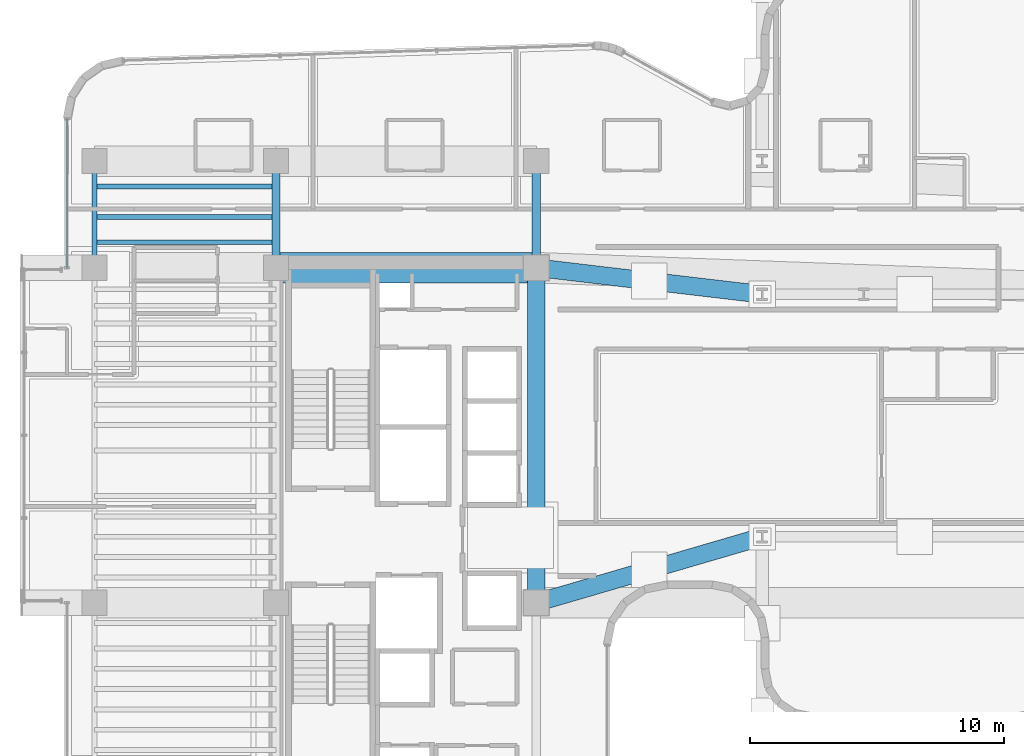
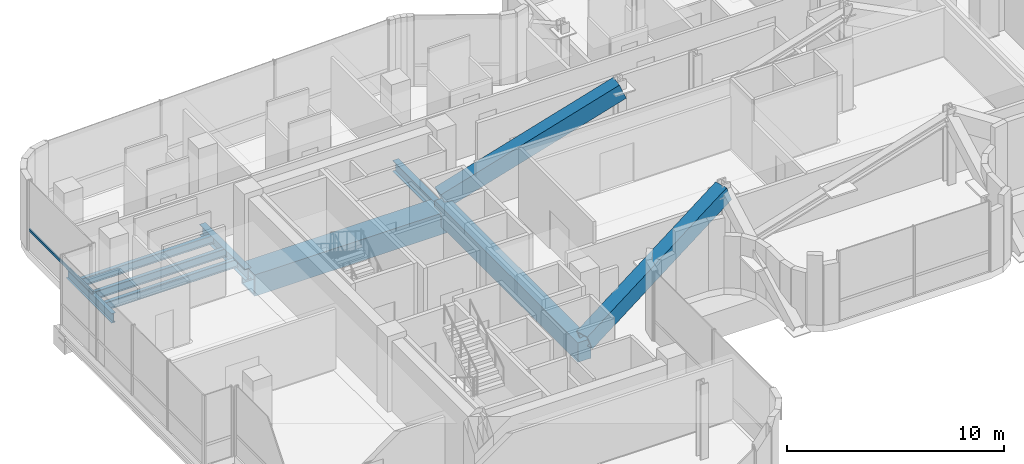
# One storey, part 8 of 37: 8 beams, 3 members, 1 element without a shape of its own.
"""IFC4 building model written with IfcOpenShell, lengths in metres."""

from ifc_helpers import new_model, si_unit, direction, frame, origin, origin_2d, place, context, subcontext, project, spatial, rectangle, hollow_rectangle, i_section, extrude, source, transform, mapped, material, material_profile, profile_set, type_object, element, aggregate, save


model = new_model("IFC4")

# Units and contexts
model_context = context("Model", 3, precision=1e-05, world=origin(), true_north=direction((0.0, 1.0)))
body_context = subcontext(model_context, "Body", "Model", "MODEL_VIEW")
ifc_project = project(units=[si_unit("LENGTHUNIT", "METRE"), si_unit("AREAUNIT", "SQUARE_METRE"), si_unit("VOLUMEUNIT", "CUBIC_METRE"), si_unit("PLANEANGLEUNIT", "RADIAN"), si_unit("MASSUNIT", "GRAM", prefix="KILO")], contexts=[model_context])

# Site, building, storey
site_placement = place(None, origin())
site = spatial("IfcSite", under=ifc_project, at=site_placement, CompositionType="ELEMENT")
building_placement = place(site_placement, origin())
building = spatial("IfcBuilding", under=site, at=building_placement, Name="Valdorenza Pilgrim Sanctuary Tower", CompositionType="ELEMENT")
storey_placement = place(building_placement, frame((0.0, 0.0, 172.300048828125)))
storey = spatial("IfcBuildingStorey", under=building, at=storey_placement, Name="L44", CompositionType="ELEMENT", Elevation=172.300048828125)

# Beams
ifc_material_1 = material(Name="Concrete C50/60", Category="concrete")
ifc_material_profile_1 = material_profile(ifc_material_1, rectangle(XDim=0.699951171875, YDim=1.10009765625, at=origin_2d()), Name="RC 1100x700")
ifc_profile_set_1 = profile_set([ifc_material_profile_1], Name="Concrete C50/60")
beam_type_1 = type_object("IfcBeamType", Name="STR-BM-LNT-1100", PredefinedType="LINTEL", material=ifc_profile_set_1)
shared_shape_1 = source(origin(), body_context, "Body", "SweptSolid", [
    extrude(rectangle(XDim=0.699951171875, YDim=1.10009765625, at=origin_2d()), origin(), (0.0, 0.0, 1.0), 13.2001953125),
])
beam_1_placement = place(storey_placement, frame((-12.39990234375, -2.60009765625, -0.590087890625), z_axis=(0.0, 1.0, 0.0), x_axis=(-1.0, 0.0, 0.0)))
element("IfcBeam", 1, at=beam_1_placement, inside=storey, type_object=beam_type_1, Name="L44 Core A Coupling Lintel Girder", PredefinedType="LINTEL", context=body_context, shape_type="MappedRepresentation", body=[
    mapped(shared_shape_1, transform((0.0, 0.0, 0.0), x_axis=(1.0, 0.0, 0.0), y_axis=(0.0, 1.0, 0.0), z_axis=(0.0, 0.0, 1.0), scale=1.0)),
])
ifc_material_2 = material(Name="Steel ASTM A992 Grade 50", Category="steel")
ifc_material_profile_2 = material_profile(ifc_material_2, i_section(OverallWidth=0.323974609375, OverallDepth=0.611083984375, WebThickness=0.0126953125, FlangeThickness=0.01904296875, at=origin_2d()), Name="W24X104")
ifc_profile_set_2 = profile_set([ifc_material_profile_2], Name="Steel ASTM A992 Grade 50")
beam_type_2 = type_object("IfcBeamType", Name="STR-BM-GRD-W24B", PredefinedType="BEAM", material=ifc_profile_set_2)
shared_shape_2 = source(origin(), body_context, "Body", "SweptSolid", [
    extrude(i_section(OverallWidth=0.323974609375, OverallDepth=0.611083984375, WebThickness=0.0126953125, FlangeThickness=0.01904296875, at=origin_2d()), origin(), (0.0, 0.0, 1.0), 4.199951171875),
])
for number, where, z_axis, x_axis, name in (
    (2, (-22.64990234375, 10.60009765625, -0.70556640625), (0.0, 1.0, 0.0), (-1.0, 0.0, 0.0), "L44 Core Tie Girder CA-W-N1N2"),
    (3, (-12.39990234375, 10.60009765625, -0.70556640625), (0.0, 1.0, 0.0), (-1.0, 0.0, 0.0), "L44 Core Tie Girder CA-E-N1N2"),
):
    element("IfcBeam", number, at=place(storey_placement, frame(where, z_axis=z_axis, x_axis=x_axis)), inside=storey, type_object=beam_type_2, Name=name, PredefinedType="BEAM", context=body_context, shape_type="MappedRepresentation", body=[
        mapped(shared_shape_2, transform((0.0, 0.0, 0.0), x_axis=(1.0, 0.0, 0.0), y_axis=(0.0, 1.0, 0.0), z_axis=(0.0, 0.0, 1.0), scale=1.0)),
    ])
ifc_material_3 = material(Name="Steel ASTM A572 Grade 42", Category="steel")
ifc_material_profile_3 = material_profile(ifc_material_3, hollow_rectangle(XDim=1.199951171875, YDim=1.199951171875, WallThickness=0.090087890625, at=origin_2d()), Name="BOX 1200x1200x90")
ifc_profile_set_3 = profile_set([ifc_material_profile_3], Name="Steel ASTM A572 Grade 42")
beam_type_3 = type_object("IfcBeamType", Name="STR-BM-TRF-1200", PredefinedType="BEAM", material=ifc_profile_set_3)
shared_shape_3 = source(origin(), body_context, "Body", "SweptSolid", [
    extrude(hollow_rectangle(XDim=1.199951171875, YDim=1.199951171875, WallThickness=0.090087890625, at=origin_2d()), origin(), (0.0, 0.0, 1.0), 10.25),
])
beam_2_placement = place(storey_placement, frame((-22.64990234375, 10.60009765625, -1.0), z_axis=(1.0, 0.0, 0.0), x_axis=(0.0, 1.0, 0.0)))
element("IfcBeam", 4, at=beam_2_placement, inside=storey, type_object=beam_type_3, Name="L44 Transfer Girder CA-XC-N1", PredefinedType="BEAM", context=body_context, shape_type="MappedRepresentation", body=[
    mapped(shared_shape_3, transform((0.0, 0.0, 0.0), x_axis=(1.0, 0.0, 0.0), y_axis=(0.0, 1.0, 0.0), z_axis=(0.0, 0.0, 1.0), scale=1.0)),
])
ifc_material_profile_4 = material_profile(ifc_material_2, i_section(OverallWidth=0.19091796875, OverallDepth=0.45703125, WebThickness=0.009033203125, FlangeThickness=0.014404296875, at=origin_2d()), Name="W18X50")
ifc_profile_set_4 = profile_set([ifc_material_profile_4], Name="Steel ASTM A992 Grade 50")
beam_type_4 = type_object("IfcBeamType", Name="STR-BM-JST-W18B", PredefinedType="JOIST", material=ifc_profile_set_4)
shared_shape_4 = source(origin(), body_context, "Body", "SweptSolid", [
    extrude(i_section(OverallWidth=0.19091796875, OverallDepth=0.45703125, WebThickness=0.009033203125, FlangeThickness=0.014404296875, at=origin_2d()), origin(), (0.0, 0.0, 1.0), 7.150146484375),
])
for number, where, z_axis, x_axis, name in (
    (5, (-29.800048828125, 11.60009765625, -0.628662109375), (1.0, 0.0, 0.0), (0.0, 1.0, 0.0), "L44 Composite Floor Joist JST-WA-24"),
    (6, (-29.800048828125, 12.60009765625, -0.628662109375), (1.0, 0.0, 0.0), (0.0, 1.0, 0.0), "L44 Composite Floor Joist JST-WA-25"),
    (7, (-29.800048828125, 13.800048828125, -0.628662109375), (1.0, 0.0, 0.0), (0.0, 1.0, 0.0), "L44 Composite Floor Joist JST-WA-26"),
):
    element("IfcBeam", number, at=place(storey_placement, frame(where, z_axis=z_axis, x_axis=x_axis)), inside=storey, type_object=beam_type_4, Name=name, PredefinedType="JOIST", context=body_context, shape_type="MappedRepresentation", body=[
        mapped(shared_shape_4, transform((0.0, 0.0, 0.0), x_axis=(1.0, 0.0, 0.0), y_axis=(0.0, 1.0, 0.0), z_axis=(0.0, 0.0, 1.0), scale=1.0)),
    ])
ifc_material_profile_5 = material_profile(ifc_material_2, i_section(OverallWidth=0.2109375, OverallDepth=0.5390625, WebThickness=0.01171875, FlangeThickness=0.018798828125, at=origin_2d()), Name="W21X73")
ifc_profile_set_5 = profile_set([ifc_material_profile_5], Name="Steel ASTM A992 Grade 50")
beam_type_5 = type_object("IfcBeamType", Name="STR-BM-SPN-W21B", PredefinedType="SPANDREL", material=ifc_profile_set_5)
shared_shape_5 = source(origin(), body_context, "Body", "SweptSolid", [
    extrude(i_section(OverallWidth=0.2109375, OverallDepth=0.5390625, WebThickness=0.01171875, FlangeThickness=0.018798828125, at=origin_2d()), origin(), (0.0, 0.0, 1.0), 4.199951171875),
])
beam_3_placement = place(storey_placement, frame((-29.800048828125, 10.60009765625, -0.66943359375), z_axis=(0.0, 1.0, 0.0), x_axis=(-1.0, 0.0, 0.0)))
element("IfcBeam", 8, at=beam_3_placement, inside=storey, type_object=beam_type_5, Name="L44 Spandrel Beam WA-W-N1N2", PredefinedType="SPANDREL", context=body_context, shape_type="MappedRepresentation", body=[
    mapped(shared_shape_5, transform((0.0, 0.0, 0.0), x_axis=(1.0, 0.0, 0.0), y_axis=(0.0, 1.0, 0.0), z_axis=(0.0, 0.0, 1.0), scale=1.0)),
])

# Members
ifc_material_profile_6 = material_profile(ifc_material_3, hollow_rectangle(XDim=0.699951171875, YDim=0.89990234375, WallThickness=0.070068359375, at=origin_2d()), Name="BOX 900x700x70")
ifc_profile_set_6 = profile_set([ifc_material_profile_6], Name="Steel ASTM A572 Grade 42")
member_type_1 = type_object("IfcMemberType", Name="STR-MB-OUT-BOX900", PredefinedType="BRACE", material=ifc_profile_set_6)
shared_shape_6 = source(origin(), body_context, "Body", "SweptSolid", [
    extrude(hollow_rectangle(XDim=0.699951171875, YDim=0.89990234375, WallThickness=0.070068359375, at=origin_2d()), origin(), (0.0, 0.0, 1.0), 9.6953125),
])
member_1_placement = place(storey_placement, frame((-12.39990234375, 10.60009765625, 0.0), z_axis=(0.917952380963, -0.108303977356, 0.381619803958), x_axis=(0.117171595803, 0.993111684121, 0.0)))
element("IfcMember", 9, at=member_1_placement, inside=storey, type_object=member_type_1, Name="L44 Portal Bridge Truss Diagonal W1", PredefinedType="BRACE", context=body_context, shape_type="MappedRepresentation", body=[
    mapped(shared_shape_6, transform((0.0, 0.0, 0.0), x_axis=(1.0, 0.0, 0.0), y_axis=(0.0, 1.0, 0.0), z_axis=(0.0, 0.0, 1.0), scale=1.0)),
])
shared_shape_7 = source(origin(), body_context, "Body", "SweptSolid", [
    extrude(hollow_rectangle(XDim=0.699951171875, YDim=0.89990234375, WallThickness=0.070068359375, at=origin_2d()), origin(), (0.0, 0.0, 1.0), 9.98291015625),
])
member_2_placement = place(storey_placement, frame((-12.39990234375, -2.60009765625, 0.0), z_axis=(0.891514206532, 0.260454992582, 0.370628677237), x_axis=(-0.280426663234, 0.959875453664, 0.0)))
element("IfcMember", 10, at=member_2_placement, inside=storey, type_object=member_type_1, Name="L44 Portal Bridge Truss Diagonal W2", PredefinedType="BRACE", context=body_context, shape_type="MappedRepresentation", body=[
    mapped(shared_shape_7, transform((0.0, 0.0, 0.0), x_axis=(1.0, 0.0, 0.0), y_axis=(0.0, 1.0, 0.0), z_axis=(0.0, 0.0, 1.0), scale=1.0)),
])

# Curtain wall, member
ifc_material_4 = material(Name="Curtain-wall IGU glazing", Category="glass")
curtain_wall_type = type_object("IfcCurtainWallType", Name="CW-SYS-02", PredefinedType="NOTDEFINED", material=ifc_material_4)
curtain_wall_placement = place(storey_placement, origin())
curtain_wall = element("IfcCurtainWall", 11, at=curtain_wall_placement, inside=storey, type_object=curtain_wall_type, Name="L44 Curtain Wall CW-L44-1-1S2", PredefinedType="NOTDEFINED")
ifc_material_5 = material(Name="Anodised aluminium AW-6060", Category="aluminium")
ifc_material_profile_7 = material_profile(ifc_material_5, hollow_rectangle(XDim=0.074951171875, YDim=0.14990234375, WallThickness=0.00390625, at=origin_2d()), Name="ALU-T 150x75x4")
ifc_profile_set_7 = profile_set([ifc_material_profile_7], Name="Anodised aluminium AW-6060")
member_type_2 = type_object("IfcMemberType", Name="CW-TRN-02", PredefinedType="USERDEFINED", material=ifc_profile_set_7)
shared_shape_8 = source(origin(), body_context, "Body", "SweptSolid", [
    extrude(hollow_rectangle(XDim=0.074951171875, YDim=0.14990234375, WallThickness=0.00390625, at=origin_2d()), origin(), (0.0, 0.0, 1.0), 5.8662109375),
])
member_3_placement = place(storey_placement, frame((-30.889892578125, 10.60009765625, 1.119873046875), z_axis=(0.0, 1.0, 0.0), x_axis=(-1.0, 0.0, 0.0)))
member_3 = element("IfcMember", 12, at=member_3_placement, type_object=member_type_2, Name="CW-L44-1-1S2 Transom 1", ObjectType="TRANSOM", PredefinedType="USERDEFINED", context=body_context, shape_type="MappedRepresentation", body=[
    mapped(shared_shape_8, transform((0.0, 0.0, 0.0), x_axis=(1.0, 0.0, 0.0), y_axis=(0.0, 1.0, 0.0), z_axis=(0.0, 0.0, 1.0), scale=1.0)),
])
aggregate(curtain_wall, [member_3])

save(model, "model.ifc")
